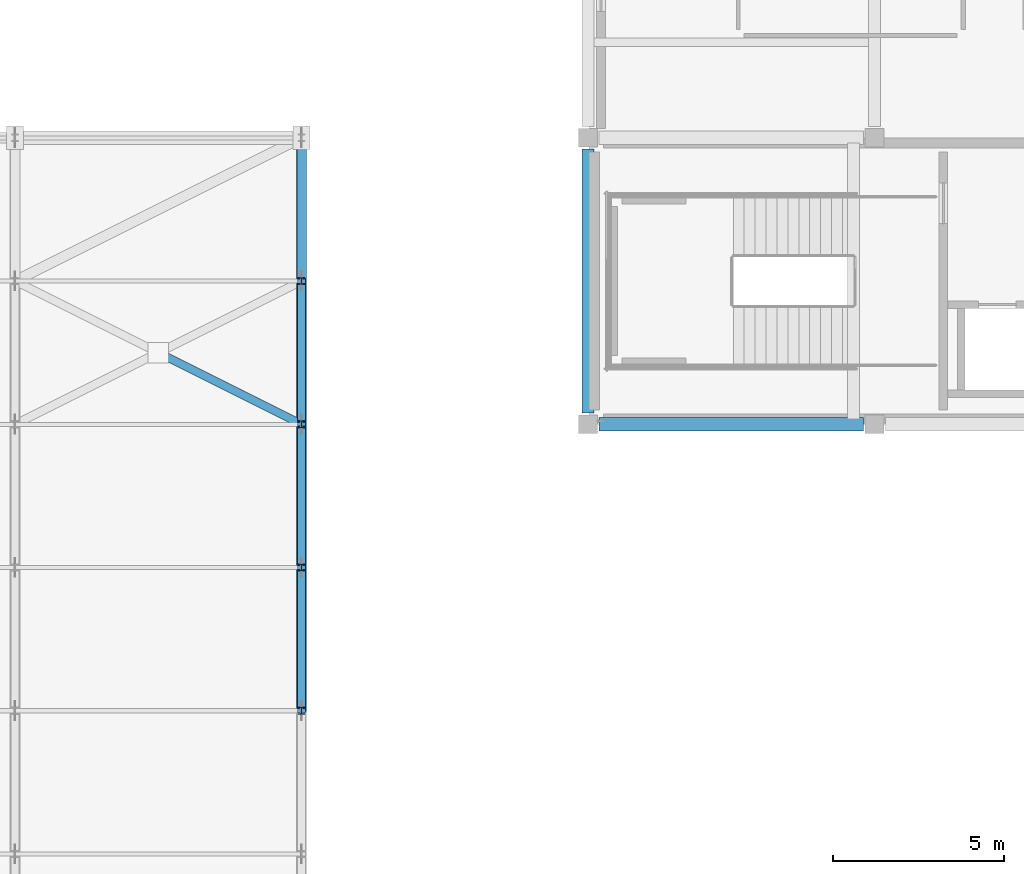
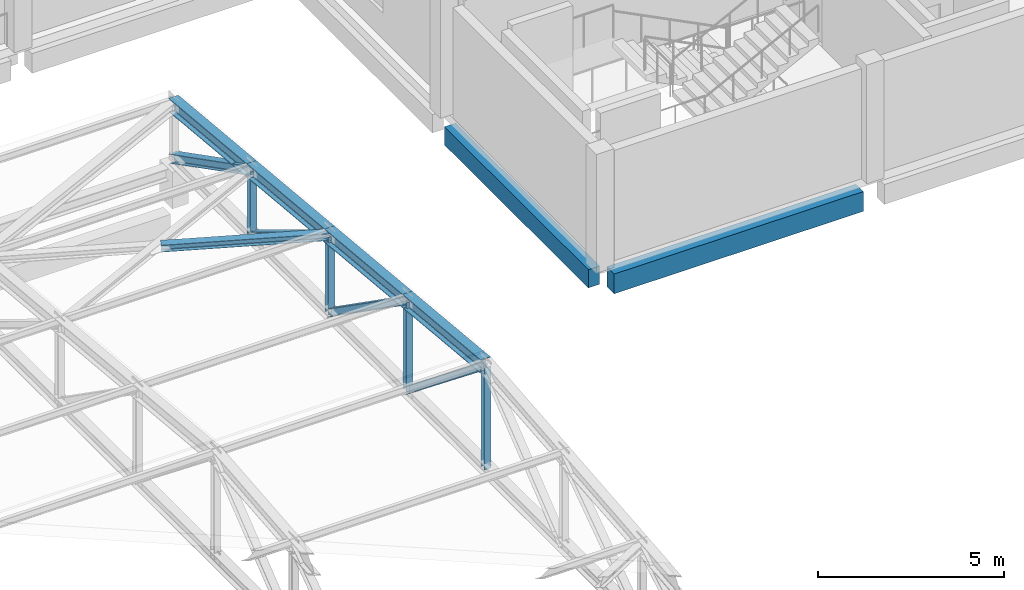
# One storey, part 26 of 74: 9 members, 6 beams.
"""IFC4 building model written with IfcOpenShell, lengths in metres."""

from ifc_helpers import new_model, si_unit, derived_unit, direction, frame, origin, origin_2d, place, context, subcontext, project, spatial, rectangle, i_section, extrude, material, material_profile, profile_set, type_object, element, save


model = new_model("IFC4")

# Units and contexts
model_context = context("Model", 3, precision=1e-05, world=origin(), true_north=direction((0.0, 1.0)))
body_context = subcontext(model_context, "Body", "Model", "MODEL_VIEW")
ifc_project = project(units=[si_unit("LENGTHUNIT", "METRE"), si_unit("AREAUNIT", "SQUARE_METRE"), si_unit("VOLUMEUNIT", "CUBIC_METRE"), si_unit("PLANEANGLEUNIT", "RADIAN"), si_unit("MASSUNIT", "GRAM", prefix="KILO"), derived_unit("THERMALTRANSMITTANCEUNIT", [(si_unit("POWERUNIT", "WATT"), 1), (si_unit("LENGTHUNIT", "METRE"), -2), (si_unit("THERMODYNAMICTEMPERATUREUNIT", "KELVIN"), -1)])], contexts=[model_context])

# Site, building, storey
site_placement = place(None, origin())
site = spatial("IfcSite", under=ifc_project, at=site_placement, CompositionType="ELEMENT")
building_placement = place(site_placement, origin())
building = spatial("IfcBuilding", under=site, at=building_placement, Name="Elbkamm Science Centre", CompositionType="ELEMENT")
storey_placement = place(building_placement, frame((0.0, 0.0, 14.39990234375)))
storey = spatial("IfcBuildingStorey", under=building, at=storey_placement, Name="L03", CompositionType="ELEMENT", Elevation=14.39990234375)

# Beams
ifc_material_1 = material(Name="Concrete C40/50", Category="concrete")
ifc_material_profile_1 = material_profile(ifc_material_1, rectangle(XDim=0.35009765625, YDim=0.60009765625, at=origin_2d()), Name="RC 350x600")
ifc_profile_set_1 = profile_set([ifc_material_profile_1], Name="Concrete C40/50")
beam_type_1 = type_object("IfcBeamType", Name="BM-RC-350x600", PredefinedType="BEAM", material=ifc_profile_set_1)
beam_1_placement = place(storey_placement, frame((126.0, 25.52490234375, -0.579833984375), z_axis=(0.0, 1.0, 0.0), x_axis=(-1.0, 0.0, 0.0)))
element("IfcBeam", 1, at=beam_1_placement, inside=storey, type_object=beam_type_1, Name="L03 Primary Y-Girder 009", PredefinedType="BEAM", context=body_context, shape_type="SweptSolid", body=[
    extrude(rectangle(XDim=0.35009765625, YDim=0.60009765625, at=origin_2d()), origin(), (0.0, 0.0, 1.0), 7.75),
])
ifc_material_profile_2 = material_profile(ifc_material_1, rectangle(XDim=0.39990234375, YDim=0.64990234375, at=origin_2d()), Name="RC 400x650")
ifc_profile_set_2 = profile_set([ifc_material_profile_2], Name="Concrete C40/50")
beam_type_2 = type_object("IfcBeamType", Name="BM-RC-400x650", PredefinedType="BEAM", material=ifc_profile_set_2)
beam_2_placement = place(storey_placement, frame((126.324951171875, 25.199951171875, -0.60498046875), z_axis=(1.0, 0.0, 0.0), x_axis=(0.0, 1.0, 0.0)))
element("IfcBeam", 2, at=beam_2_placement, inside=storey, type_object=beam_type_2, Name="L03 Primary X-Girder 001", PredefinedType="BEAM", context=body_context, shape_type="SweptSolid", body=[
    extrude(rectangle(XDim=0.39990234375, YDim=0.64990234375, at=origin_2d()), origin(), (0.0, 0.0, 1.0), 7.75),
])
ifc_material_2 = material(Name="Steel EN 10025-2 S355J2", Category="steel")
ifc_material_profile_3 = material_profile(ifc_material_2, i_section(OverallWidth=0.300048828125, OverallDepth=0.449951171875, WebThickness=0.013916015625, FlangeThickness=0.02587890625, FilletRadius=0.027099609375, at=origin_2d()), Name="HEB 450")
ifc_profile_set_3 = profile_set([ifc_material_profile_3], Name="Steel EN 10025-2 S355J2")
beam_type_3 = type_object("IfcBeamType", Name="BM-STL-HEB450", PredefinedType="BEAM", material=ifc_profile_set_3)
for number, where, z_axis, x_axis, name in (
    (3, (117.60009765625, 16.800048828125, 4.7451171875), (0.0, 0.995562844443, -0.094099005119), (-1.0, 0.0, 0.0), "Theatre Steel Truss 07 Top Chord 5"),
    (4, (117.60009765625, 21.0, 4.34814453125), (0.0, 0.995562844443, -0.094099005119), (-1.0, 0.0, 0.0), "Theatre Steel Truss 07 Top Chord 6"),
    (5, (117.60009765625, 25.199951171875, 3.951171875), (0.0, 0.995557421336, -0.094156363687), (-1.0, 0.0, 0.0), "Theatre Steel Truss 07 Top Chord 7"),
):
    element("IfcBeam", number, at=place(storey_placement, frame(where, z_axis=z_axis, x_axis=x_axis)), inside=storey, type_object=beam_type_3, Name=name, PredefinedType="BEAM", context=body_context, shape_type="SweptSolid", body=[
        extrude(i_section(OverallWidth=0.300048828125, OverallDepth=0.449951171875, WebThickness=0.013916015625, FlangeThickness=0.02587890625, FilletRadius=0.027099609375, at=origin_2d()), origin(), (0.0, 0.0, 1.0), 4.21875),
    ])
beam_3_placement = place(storey_placement, frame((117.60009765625, 29.39990234375, 3.553955078125), z_axis=(0.0, 0.995563356829, -0.094093583946), x_axis=(-1.0, 0.0, 0.0)))
element("IfcBeam", 6, at=beam_3_placement, inside=storey, type_object=beam_type_3, Name="Theatre Steel Truss 07 Top Chord 8", PredefinedType="BEAM", context=body_context, shape_type="SweptSolid", body=[
    extrude(i_section(OverallWidth=0.300048828125, OverallDepth=0.449951171875, WebThickness=0.013916015625, FlangeThickness=0.02587890625, FilletRadius=0.027099609375, at=origin_2d()), origin(), (0.0, 0.0, 1.0), 4.218994140625),
])

# Members
ifc_material_profile_4 = material_profile(ifc_material_2, i_section(OverallWidth=0.239990234375, OverallDepth=0.22998046875, WebThickness=0.007568359375, FlangeThickness=0.011962890625, FilletRadius=0.02099609375, at=origin_2d()), Name="HEA 240")
ifc_profile_set_4 = profile_set([ifc_material_profile_4], Name="Steel EN 10025-2 S355J2")
member_type_1 = type_object("IfcMemberType", Name="MEM-BRACE-HEA240", PredefinedType="BRACE", material=ifc_profile_set_4)
member_1_placement = place(storey_placement, frame((117.60009765625, 16.800048828125, 4.7451171875), z_axis=(0.0, 0.782228850419, -0.62299119221), x_axis=(-1.0, 0.0, 0.0)))
element("IfcMember", 7, at=member_1_placement, inside=storey, type_object=member_type_1, Name="Theatre Steel Truss 07 Diagonal Brace 5", PredefinedType="BRACE", context=body_context, shape_type="SweptSolid", body=[
    extrude(i_section(OverallWidth=0.239990234375, OverallDepth=0.22998046875, WebThickness=0.007568359375, FlangeThickness=0.011962890625, FilletRadius=0.02099609375, at=origin_2d()), origin(), (0.0, 0.0, 1.0), 5.369140625),
])
member_2_placement = place(storey_placement, frame((117.60009765625, 21.0, 4.34814453125), z_axis=(0.0, 0.818495853112, -0.574512435408), x_axis=(-1.0, 0.0, 0.0)))
element("IfcMember", 8, at=member_2_placement, inside=storey, type_object=member_type_1, Name="Theatre Steel Truss 07 Diagonal Brace 6", PredefinedType="BRACE", context=body_context, shape_type="SweptSolid", body=[
    extrude(i_section(OverallWidth=0.239990234375, OverallDepth=0.22998046875, WebThickness=0.007568359375, FlangeThickness=0.011962890625, FilletRadius=0.02099609375, at=origin_2d()), origin(), (0.0, 0.0, 1.0), 5.13134765625),
])
member_3_placement = place(storey_placement, frame((117.60009765625, 25.199951171875, 3.951171875), z_axis=(0.0, 0.854692256273, -0.519134998884), x_axis=(-1.0, 0.0, 0.0)))
element("IfcMember", 9, at=member_3_placement, inside=storey, type_object=member_type_1, Name="Theatre Steel Truss 07 Diagonal Brace 7", PredefinedType="BRACE", context=body_context, shape_type="SweptSolid", body=[
    extrude(i_section(OverallWidth=0.239990234375, OverallDepth=0.22998046875, WebThickness=0.007568359375, FlangeThickness=0.011962890625, FilletRadius=0.02099609375, at=origin_2d()), origin(), (0.0, 0.0, 1.0), 4.9140625),
])
member_4_placement = place(storey_placement, frame((113.525146484375, 27.2373046875, 3.758544921875), z_axis=(0.893639494466, -0.446792977133, 0.042243218569), x_axis=(0.447192160157, 0.89443790835, 0.0)))
element("IfcMember", 10, at=member_4_placement, inside=storey, type_object=member_type_1, Name="Theatre Roof Plan Split X-Brace Segment 2 B6-P7", PredefinedType="BRACE", context=body_context, shape_type="SweptSolid", body=[
    extrude(i_section(OverallWidth=0.239990234375, OverallDepth=0.22998046875, WebThickness=0.007568359375, FlangeThickness=0.011962890625, FilletRadius=0.02099609375, at=origin_2d()), origin(), (0.0, 0.0, 1.0), 4.56005859375),
])
ifc_material_profile_5 = material_profile(ifc_material_2, i_section(OverallWidth=0.280029296875, OverallDepth=0.27001953125, WebThickness=0.008056640625, FlangeThickness=0.012939453125, FilletRadius=0.02392578125, at=origin_2d()), Name="HEA 280")
ifc_profile_set_5 = profile_set([ifc_material_profile_5], Name="Steel EN 10025-2 S355J2")
member_type_2 = type_object("IfcMemberType", Name="MEM-BRACE-HEA280", PredefinedType="BRACE", material=ifc_profile_set_5)
member_5_placement = place(storey_placement, frame((117.60009765625, 29.39990234375, 3.553955078125), z_axis=(0.0, 0.889829309355, -0.456293546101), x_axis=(-1.0, 0.0, 0.0)))
element("IfcMember", 11, at=member_5_placement, inside=storey, type_object=member_type_2, Name="Theatre Steel Truss 07 Diagonal Brace 8", PredefinedType="BRACE", context=body_context, shape_type="SweptSolid", body=[
    extrude(i_section(OverallWidth=0.280029296875, OverallDepth=0.27001953125, WebThickness=0.008056640625, FlangeThickness=0.012939453125, FilletRadius=0.02392578125, at=origin_2d()), origin(), (0.0, 0.0, 1.0), 4.72021484375),
])
ifc_material_profile_6 = material_profile(ifc_material_2, i_section(OverallWidth=0.199951171875, OverallDepth=0.199951171875, WebThickness=0.009033203125, FlangeThickness=0.014892578125, FilletRadius=0.01806640625, at=origin_2d()), Name="HEB 200")
ifc_profile_set_6 = profile_set([ifc_material_profile_6], Name="Steel EN 10025-2 S355J2")
member_type_3 = type_object("IfcMemberType", Name="MEM-STRUT-HEB200", PredefinedType="STRUT", material=ifc_profile_set_6)
member_6_placement = place(storey_placement, frame((117.60009765625, 16.800048828125, 1.400146484375), z_axis=(0.0, 0.0, 1.0), x_axis=(1.0, 0.0, 0.0)))
element("IfcMember", 12, at=member_6_placement, inside=storey, type_object=member_type_3, Name="Theatre Steel Truss 07 Vertical Strut 5", PredefinedType="STRUT", context=body_context, shape_type="SweptSolid", body=[
    extrude(i_section(OverallWidth=0.199951171875, OverallDepth=0.199951171875, WebThickness=0.009033203125, FlangeThickness=0.014892578125, FilletRadius=0.01806640625, at=origin_2d()), origin(), (0.0, 0.0, 1.0), 3.344970703125),
])
member_7_placement = place(storey_placement, frame((117.60009765625, 21.0, 1.400146484375), z_axis=(0.0, 0.0, 1.0), x_axis=(1.0, 0.0, 0.0)))
element("IfcMember", 13, at=member_7_placement, inside=storey, type_object=member_type_3, Name="Theatre Steel Truss 07 Vertical Strut 6", PredefinedType="STRUT", context=body_context, shape_type="SweptSolid", body=[
    extrude(i_section(OverallWidth=0.199951171875, OverallDepth=0.199951171875, WebThickness=0.009033203125, FlangeThickness=0.014892578125, FilletRadius=0.01806640625, at=origin_2d()), origin(), (0.0, 0.0, 1.0), 2.947998046875),
])
member_8_placement = place(storey_placement, frame((117.60009765625, 25.199951171875, 1.400146484375), z_axis=(0.0, 0.0, 1.0), x_axis=(1.0, 0.0, 0.0)))
element("IfcMember", 14, at=member_8_placement, inside=storey, type_object=member_type_3, Name="Theatre Steel Truss 07 Vertical Strut 7", PredefinedType="STRUT", context=body_context, shape_type="SweptSolid", body=[
    extrude(i_section(OverallWidth=0.199951171875, OverallDepth=0.199951171875, WebThickness=0.009033203125, FlangeThickness=0.014892578125, FilletRadius=0.01806640625, at=origin_2d()), origin(), (0.0, 0.0, 1.0), 2.551025390625),
])
member_9_placement = place(storey_placement, frame((117.60009765625, 29.39990234375, 1.400146484375), z_axis=(0.0, 0.0, 1.0), x_axis=(1.0, 0.0, 0.0)))
element("IfcMember", 15, at=member_9_placement, inside=storey, type_object=member_type_3, Name="Theatre Steel Truss 07 Vertical Strut 8", PredefinedType="STRUT", context=body_context, shape_type="SweptSolid", body=[
    extrude(i_section(OverallWidth=0.199951171875, OverallDepth=0.199951171875, WebThickness=0.009033203125, FlangeThickness=0.014892578125, FilletRadius=0.01806640625, at=origin_2d()), origin(), (0.0, 0.0, 1.0), 2.15380859375),
])

save(model, "model.ifc")
